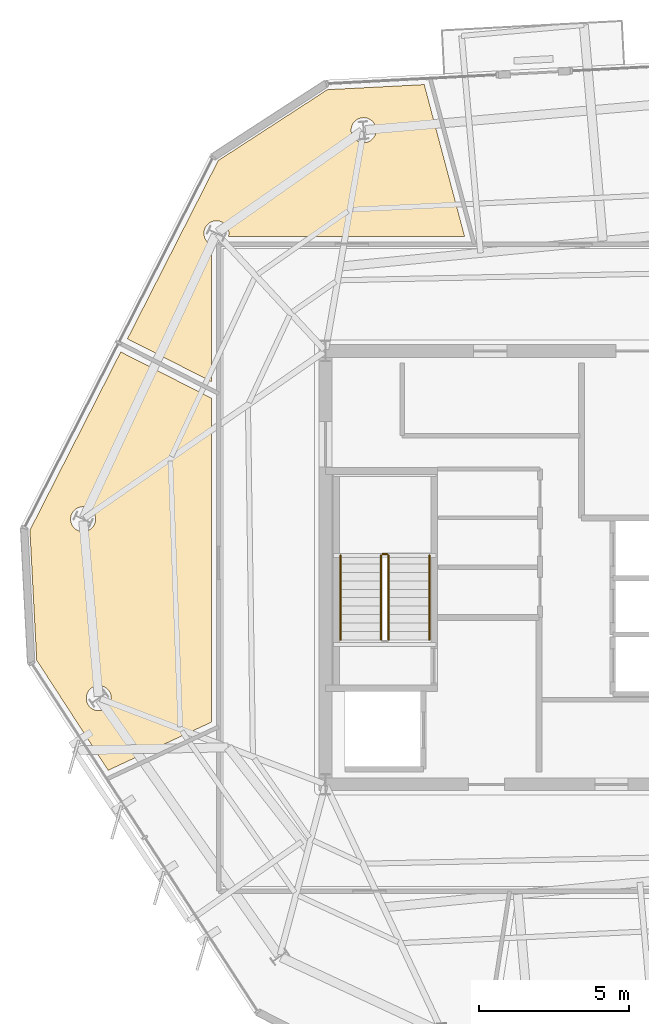
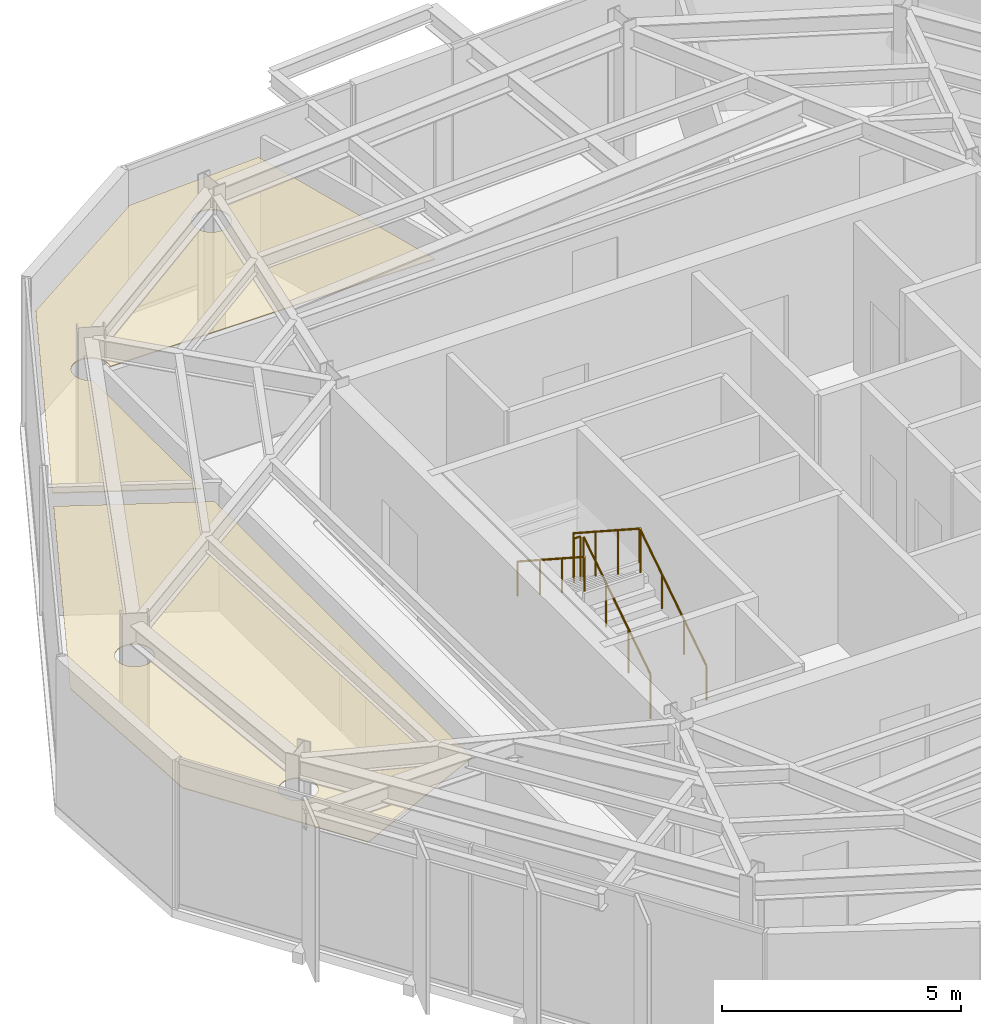
# One storey, part 9 of 11: 5 railings, 2 coverings.
"""IFC4 building model written with IfcOpenShell, lengths in metres."""

from ifc_helpers import new_model, si_unit, direction, frame, origin, origin_2d, place, context, subcontext, project, spatial, polyline, circle, outline, extrude, material, layer, layer_set, type_object, element, save


model = new_model("IFC4")

# Units and contexts
model_context = context("Model", 3, precision=1e-05, world=origin(), true_north=direction((0.0, 1.0)))
body_context = subcontext(model_context, "Body", "Model", "MODEL_VIEW")
ifc_project = project(units=[si_unit("LENGTHUNIT", "METRE"), si_unit("AREAUNIT", "SQUARE_METRE"), si_unit("VOLUMEUNIT", "CUBIC_METRE"), si_unit("PLANEANGLEUNIT", "RADIAN"), si_unit("MASSUNIT", "GRAM", prefix="KILO")], contexts=[model_context])

# Site, building, storey
site_placement = place(None, origin())
site = spatial("IfcSite", under=ifc_project, at=site_placement, CompositionType="ELEMENT")
building_placement = place(site_placement, origin())
building = spatial("IfcBuilding", under=site, at=building_placement, Name="Kranzbogen Civic Tower", CompositionType="ELEMENT")
storey_placement = place(building_placement, frame((0.0, 0.0, 278.199951171875)))
storey = spatial("IfcBuildingStorey", under=building, at=storey_placement, Name="L67", CompositionType="ELEMENT", Elevation=278.199951171875)

# Railings
ifc_material_1 = material(Name="Steel S355", Category="steel")
railing_type_1 = type_object("IfcRailingType", Name="Internal Stair and Void Steel Guardrail 1150", PredefinedType="GUARDRAIL", material=ifc_material_1)
railing_1_placement = place(storey_placement, frame((19.300048828125, 22.60009765625, 0.181884765625)))
element("IfcRailing", 1, at=railing_1_placement, inside=storey, type_object=railing_type_1, Name="L67 ST-T1 stair guard 1", PredefinedType="GUARDRAIL", context=body_context, shape_type="SweptSolid", body=[
    extrude(circle(Radius=0.02392578125, at=origin_2d()), frame((0.0, 0.0, 1.1259765625), z_axis=(0.0, 0.83868413941, 0.544618136222), x_axis=(-1.0, 0.0, 0.0)), (0.0, 0.0, 1.0), 3.33837890625),
    extrude(circle(Radius=0.02099609375, at=origin_2d()), origin(), (0.0, 0.0, 1.0), 1.101806640625),
    extrude(circle(Radius=0.02099609375, at=origin_2d()), frame((0.0, 0.933349609375, 0.60595703125)), (0.0, 0.0, 1.0), 1.101806640625),
    extrude(circle(Radius=0.02099609375, at=origin_2d()), frame((0.0, 1.866455078125, 1.212158203125)), (0.0, 0.0, 1.0), 1.101806640625),
    extrude(circle(Radius=0.02099609375, at=origin_2d()), frame((0.0, 2.7998046875, 1.818115234375)), (0.0, 0.0, 1.0), 1.101806640625),
])
railing_2_placement = place(storey_placement, frame((19.25, 25.449951171875, 2.0)))
element("IfcRailing", 2, at=railing_2_placement, inside=storey, type_object=railing_type_1, Name="L67 ST-T1 stair guard 2", PredefinedType="GUARDRAIL", context=body_context, shape_type="SweptSolid", body=[
    extrude(circle(Radius=0.02392578125, at=origin_2d()), frame((0.0, 0.0, 1.1259765625), z_axis=(-1.0, 0.0, 0.0), x_axis=(0.0, -1.0, 0.0)), (0.0, 0.0, 1.0), 0.14990234375),
    extrude(circle(Radius=0.02099609375, at=origin_2d()), origin(), (0.0, 0.0, 1.0), 1.101806640625),
    extrude(circle(Radius=0.02099609375, at=origin_2d()), frame((-0.14990234375, 0.0, 0.0)), (0.0, 0.0, 1.0), 1.101806640625),
])
railing_3_placement = place(storey_placement, frame((19.050048828125, 25.39990234375, 2.181884765625)))
element("IfcRailing", 3, at=railing_3_placement, inside=storey, type_object=railing_type_1, Name="L67 ST-T1 stair guard 3", PredefinedType="GUARDRAIL", context=body_context, shape_type="SweptSolid", body=[
    extrude(circle(Radius=0.02392578125, at=origin_2d()), frame((0.0, 0.0, 1.1259765625), z_axis=(0.0, -0.83868413941, 0.544618136222), x_axis=(1.0, 0.0, 0.0)), (0.0, 0.0, 1.0), 3.33837890625),
    extrude(circle(Radius=0.02099609375, at=origin_2d()), origin(), (0.0, 0.0, 1.0), 1.101806640625),
    extrude(circle(Radius=0.02099609375, at=origin_2d()), frame((0.0, -0.933349609375, 0.60595703125)), (0.0, 0.0, 1.0), 1.101806640625),
    extrude(circle(Radius=0.02099609375, at=origin_2d()), frame((0.0, -1.866455078125, 1.212158203125)), (0.0, 0.0, 1.0), 1.101806640625),
    extrude(circle(Radius=0.02099609375, at=origin_2d()), frame((0.0, -2.7998046875, 1.818115234375)), (0.0, 0.0, 1.0), 1.101806640625),
])

# Coverings
ifc_material_2 = material(Name="Perforated Acoustic Gypsum Ceiling")
ifc_layer = layer(ifc_material_2, 0.02490234375, Name="Perforated Acoustic Gypsum Ceiling")
ifc_layer_set = layer_set([ifc_layer], Name="Perforated Acoustic Gypsum Ceiling")
covering_type = type_object("IfcCoveringType", Name="Perforated Acoustic Mineral Ceiling Tile 25 mm", PredefinedType="CEILING", material=ifc_layer_set)
covering_1_placement = place(storey_placement, frame((0.0, 0.0, 2.900146484375)))
element("IfcCovering", 4, at=covering_1_placement, inside=storey, type_object=covering_type, Name="L67 Citizen Services Kiosk acoustic ceiling", PredefinedType="CEILING", context=body_context, shape_type="SweptSolid", body=[
    extrude(outline(polyline([(7.376953125, 26.241943359375), (10.39501953125, 32.1669921875), (13.405029296875, 30.633056640625), (13.405029296875, 19.863037109375), (9.97802734375, 18.264892578125), (7.60302734375, 21.922119140625), (7.376953125, 26.241943359375)]), holes=[polyline([(10.050048828125, 20.501953125), (10.031982421875, 20.465087890625), (10.010986328125, 20.429931640625), (9.987060546875, 20.39697265625), (9.9599609375, 20.366943359375), (9.929931640625, 20.340087890625), (9.89697265625, 20.31591796875), (9.862060546875, 20.294921875), (9.824951171875, 20.277099609375), (9.787109375, 20.262939453125), (9.7470703125, 20.25390625), (9.70703125, 20.248046875), (9.666015625, 20.24609375), (9.625, 20.248046875), (9.5849609375, 20.25390625), (9.544921875, 20.262939453125), (9.507080078125, 20.277099609375), (9.469970703125, 20.294921875), (9.43505859375, 20.31591796875), (9.402099609375, 20.340087890625), (9.3720703125, 20.366943359375), (9.344970703125, 20.39697265625), (9.321044921875, 20.429931640625), (9.300048828125, 20.465087890625), (9.281982421875, 20.501953125), (9.26806640625, 20.5400390625), (9.259033203125, 20.580078125), (9.2529296875, 20.6201171875), (9.2509765625, 20.660888671875), (9.2529296875, 20.701904296875), (9.259033203125, 20.741943359375), (9.26806640625, 20.781982421875), (9.281982421875, 20.820068359375), (9.300048828125, 20.85693359375), (9.321044921875, 20.89208984375), (9.344970703125, 20.925048828125), (9.3720703125, 20.955078125), (9.402099609375, 20.98193359375), (9.43505859375, 21.006103515625), (9.469970703125, 21.027099609375), (9.507080078125, 21.044921875), (9.544921875, 21.05908203125), (9.5849609375, 21.068115234375), (9.625, 21.073974609375), (9.666015625, 21.075927734375), (9.70703125, 21.073974609375), (9.7470703125, 21.068115234375), (9.787109375, 21.05908203125), (9.824951171875, 21.044921875), (9.862060546875, 21.027099609375), (9.89697265625, 21.006103515625), (9.929931640625, 20.98193359375), (9.9599609375, 20.955078125), (9.987060546875, 20.925048828125), (10.010986328125, 20.89208984375), (10.031982421875, 20.85693359375), (10.050048828125, 20.820068359375), (10.06396484375, 20.781982421875), (10.072998046875, 20.741943359375), (10.0791015625, 20.701904296875), (10.0810546875, 20.660888671875), (10.0791015625, 20.6201171875), (10.072998046875, 20.580078125), (10.06396484375, 20.5400390625), (10.050048828125, 20.501953125)]), polyline([(9.529052734375, 26.450927734375), (9.510986328125, 26.4140625), (9.489990234375, 26.37890625), (9.466064453125, 26.345947265625), (9.43896484375, 26.31591796875), (9.408935546875, 26.2890625), (9.3759765625, 26.264892578125), (9.341064453125, 26.243896484375), (9.303955078125, 26.22607421875), (9.26611328125, 26.2119140625), (9.22607421875, 26.202880859375), (9.18603515625, 26.197021484375), (9.14501953125, 26.195068359375), (9.10400390625, 26.197021484375), (9.06396484375, 26.202880859375), (9.02392578125, 26.2119140625), (8.986083984375, 26.22607421875), (8.948974609375, 26.243896484375), (8.9140625, 26.264892578125), (8.881103515625, 26.2890625), (8.85107421875, 26.31591796875), (8.823974609375, 26.345947265625), (8.800048828125, 26.37890625), (8.779052734375, 26.4140625), (8.760986328125, 26.450927734375), (8.7470703125, 26.489013671875), (8.738037109375, 26.529052734375), (8.73193359375, 26.569091796875), (8.72998046875, 26.610107421875), (8.73193359375, 26.65087890625), (8.738037109375, 26.69091796875), (8.7470703125, 26.73095703125), (8.760986328125, 26.76904296875), (8.779052734375, 26.805908203125), (8.800048828125, 26.841064453125), (8.823974609375, 26.8740234375), (8.85107421875, 26.904052734375), (8.881103515625, 26.930908203125), (8.9140625, 26.955078125), (8.948974609375, 26.97607421875), (8.986083984375, 26.993896484375), (9.02392578125, 27.008056640625), (9.06396484375, 27.01708984375), (9.10400390625, 27.02294921875), (9.14501953125, 27.02490234375), (9.18603515625, 27.02294921875), (9.22607421875, 27.01708984375), (9.26611328125, 27.008056640625), (9.303955078125, 26.993896484375), (9.341064453125, 26.97607421875), (9.3759765625, 26.955078125), (9.408935546875, 26.930908203125), (9.43896484375, 26.904052734375), (9.466064453125, 26.8740234375), (9.489990234375, 26.841064453125), (9.510986328125, 26.805908203125), (9.529052734375, 26.76904296875), (9.54296875, 26.73095703125), (9.552001953125, 26.69091796875), (9.55810546875, 26.65087890625), (9.56005859375, 26.610107421875), (9.55810546875, 26.569091796875), (9.552001953125, 26.529052734375), (9.54296875, 26.489013671875), (9.529052734375, 26.450927734375)])]), origin(), (0.0, 0.0, 1.0), 0.02490234375),
])
covering_2_placement = place(storey_placement, frame((0.0, 0.0, 2.900146484375)))
element("IfcCovering", 5, at=covering_2_placement, inside=storey, type_object=covering_type, Name="L67 Executive Briefing Conference Room acoustic ceiling", PredefinedType="CEILING", context=body_context, shape_type="SweptSolid", body=[
    extrude(outline(polyline([(17.263916015625, 40.883056640625), (20.48095703125, 41.052001953125), (21.824951171875, 35.9951171875), (13.97412109375, 35.9951171875), (13.98193359375, 36.029052734375), (13.988037109375, 36.069091796875), (13.989990234375, 36.110107421875), (13.988037109375, 36.15087890625), (13.98193359375, 36.19091796875), (13.972900390625, 36.23095703125), (13.958984375, 36.26904296875), (13.94091796875, 36.305908203125), (13.919921875, 36.341064453125), (13.89599609375, 36.3740234375), (13.868896484375, 36.404052734375), (13.839111328125, 36.430908203125), (13.805908203125, 36.455078125), (13.77099609375, 36.47607421875), (13.73388671875, 36.493896484375), (13.696044921875, 36.508056640625), (13.656005859375, 36.51708984375), (13.615966796875, 36.52294921875), (13.574951171875, 36.52490234375), (13.533935546875, 36.52294921875), (13.493896484375, 36.51708984375), (13.4541015625, 36.508056640625), (13.416015625, 36.493896484375), (13.37890625, 36.47607421875), (13.343994140625, 36.455078125), (13.31103515625, 36.430908203125), (13.281005859375, 36.404052734375), (13.25390625, 36.3740234375), (13.22998046875, 36.341064453125), (13.208984375, 36.305908203125), (13.19091796875, 36.26904296875), (13.177001953125, 36.23095703125), (13.16796875, 36.19091796875), (13.162109375, 36.15087890625), (13.159912109375, 36.110107421875), (13.162109375, 36.069091796875), (13.16796875, 36.029052734375), (13.177001953125, 35.989013671875), (13.19091796875, 35.950927734375), (13.208984375, 35.9140625), (13.22998046875, 35.87890625), (13.25390625, 35.845947265625), (13.281005859375, 35.81591796875), (13.31103515625, 35.7890625), (13.343994140625, 35.764892578125), (13.37890625, 35.743896484375), (13.405029296875, 35.73095703125), (13.405029296875, 31.18310546875), (10.617919921875, 32.60302734375), (13.635986328125, 38.528076171875), (17.263916015625, 40.883056640625)]), holes=[polyline([(18.85107421875, 39.376953125), (18.8330078125, 39.340087890625), (18.81201171875, 39.304931640625), (18.7880859375, 39.27197265625), (18.760986328125, 39.241943359375), (18.73095703125, 39.215087890625), (18.697998046875, 39.19091796875), (18.6630859375, 39.169921875), (18.6259765625, 39.152099609375), (18.587890625, 39.137939453125), (18.548095703125, 39.12890625), (18.508056640625, 39.123046875), (18.467041015625, 39.12109375), (18.426025390625, 39.123046875), (18.385986328125, 39.12890625), (18.345947265625, 39.137939453125), (18.30810546875, 39.152099609375), (18.27099609375, 39.169921875), (18.236083984375, 39.19091796875), (18.202880859375, 39.215087890625), (18.173095703125, 39.241943359375), (18.14599609375, 39.27197265625), (18.1220703125, 39.304931640625), (18.10107421875, 39.340087890625), (18.0830078125, 39.376953125), (18.069091796875, 39.4150390625), (18.06005859375, 39.455078125), (18.053955078125, 39.4951171875), (18.052001953125, 39.535888671875), (18.053955078125, 39.576904296875), (18.06005859375, 39.616943359375), (18.069091796875, 39.656982421875), (18.0830078125, 39.695068359375), (18.10107421875, 39.73193359375), (18.1220703125, 39.76708984375), (18.14599609375, 39.800048828125), (18.173095703125, 39.830078125), (18.202880859375, 39.85693359375), (18.236083984375, 39.881103515625), (18.27099609375, 39.902099609375), (18.30810546875, 39.919921875), (18.345947265625, 39.93408203125), (18.385986328125, 39.943115234375), (18.426025390625, 39.948974609375), (18.467041015625, 39.950927734375), (18.508056640625, 39.948974609375), (18.548095703125, 39.943115234375), (18.587890625, 39.93408203125), (18.6259765625, 39.919921875), (18.6630859375, 39.902099609375), (18.697998046875, 39.881103515625), (18.73095703125, 39.85693359375), (18.760986328125, 39.830078125), (18.7880859375, 39.800048828125), (18.81201171875, 39.76708984375), (18.8330078125, 39.73193359375), (18.85107421875, 39.695068359375), (18.864990234375, 39.656982421875), (18.8740234375, 39.616943359375), (18.8798828125, 39.576904296875), (18.882080078125, 39.535888671875), (18.8798828125, 39.4951171875), (18.8740234375, 39.455078125), (18.864990234375, 39.4150390625), (18.85107421875, 39.376953125)])]), origin(), (0.0, 0.0, 1.0), 0.02490234375),
])

# Railings
ifc_material_3 = material(Name="Pale Anodised Aluminium", Category="aluminium")
railing_type_2 = type_object("IfcRailingType", Name="Tubular Stainless Stair Wall Handrail 900", PredefinedType="HANDRAIL", material=ifc_material_3)
railing_4_placement = place(storey_placement, frame((20.64990234375, 22.60009765625, 0.181884765625)))
element("IfcRailing", 6, at=railing_4_placement, inside=storey, type_object=railing_type_2, Name="L67 ST-T1 stair handrail 1", PredefinedType="HANDRAIL", context=body_context, shape_type="SweptSolid", body=[
    extrude(circle(Radius=0.02392578125, at=origin_2d()), frame((0.0, 0.0, 0.8759765625), z_axis=(0.0, 0.83868413941, 0.544618136222), x_axis=(-1.0, 0.0, 0.0)), (0.0, 0.0, 1.0), 3.33837890625),
    extrude(circle(Radius=0.02099609375, at=origin_2d()), origin(), (0.0, 0.0, 1.0), 0.851806640625),
    extrude(circle(Radius=0.02099609375, at=origin_2d()), frame((0.0, 0.933349609375, 0.60595703125)), (0.0, 0.0, 1.0), 0.851806640625),
    extrude(circle(Radius=0.02099609375, at=origin_2d()), frame((0.0, 1.866455078125, 1.212158203125)), (0.0, 0.0, 1.0), 0.851806640625),
    extrude(circle(Radius=0.02099609375, at=origin_2d()), frame((0.0, 2.7998046875, 1.818115234375)), (0.0, 0.0, 1.0), 0.851806640625),
])
railing_5_placement = place(storey_placement, frame((17.699951171875, 25.39990234375, 2.181884765625)))
element("IfcRailing", 7, at=railing_5_placement, inside=storey, type_object=railing_type_2, Name="L67 ST-T1 stair handrail 2", PredefinedType="HANDRAIL", context=body_context, shape_type="SweptSolid", body=[
    extrude(circle(Radius=0.02392578125, at=origin_2d()), frame((0.0, 0.0, 0.8759765625), z_axis=(0.0, -0.83868413941, 0.544618136222), x_axis=(1.0, 0.0, 0.0)), (0.0, 0.0, 1.0), 3.33837890625),
    extrude(circle(Radius=0.02099609375, at=origin_2d()), origin(), (0.0, 0.0, 1.0), 0.851806640625),
    extrude(circle(Radius=0.02099609375, at=origin_2d()), frame((0.0, -0.933349609375, 0.60595703125)), (0.0, 0.0, 1.0), 0.851806640625),
    extrude(circle(Radius=0.02099609375, at=origin_2d()), frame((0.0, -1.866455078125, 1.212158203125)), (0.0, 0.0, 1.0), 0.851806640625),
    extrude(circle(Radius=0.02099609375, at=origin_2d()), frame((0.0, -2.7998046875, 1.818115234375)), (0.0, 0.0, 1.0), 0.851806640625),
])

save(model, "model.ifc")
